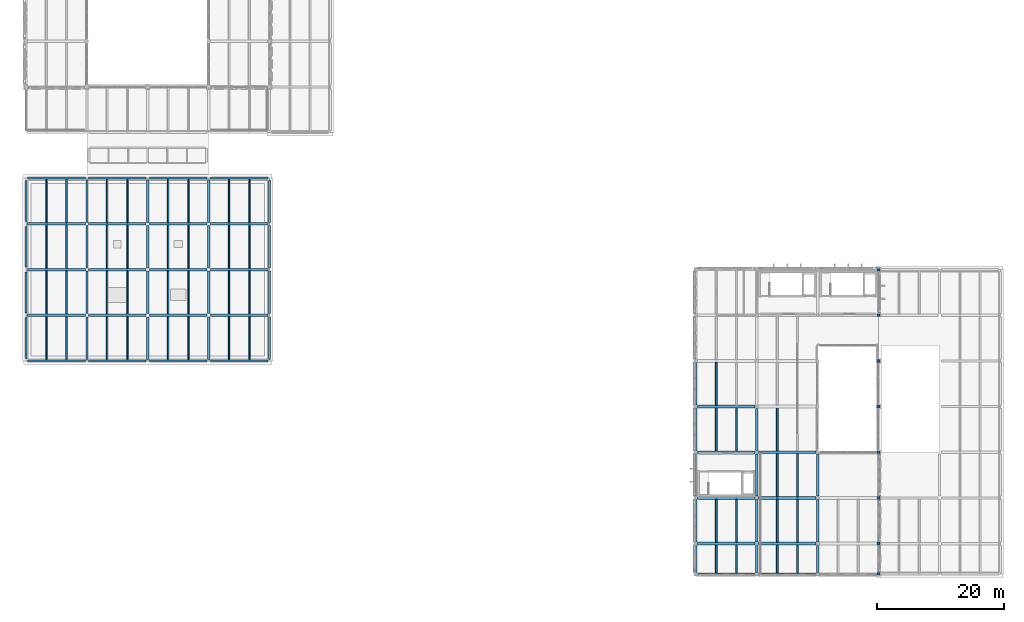
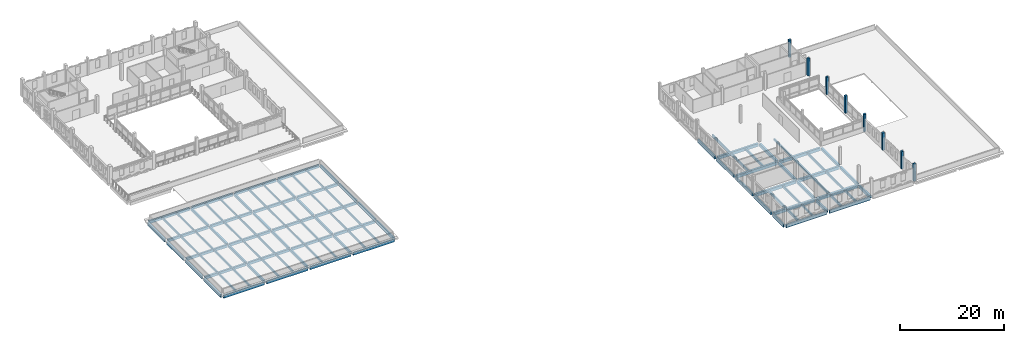
# One storey, part 3 of 50: 107 beams, 8 columns.
"""IFC4 building model written with IfcOpenShell, lengths in metres."""

from ifc_helpers import new_model, si_unit, direction, frame, origin, origin_2d, place, context, subcontext, project, spatial, rectangle, extrude, material, material_profile, profile_set, type_object, element, save


model = new_model("IFC4")

# Units and contexts
model_context = context("Model", 3, precision=1e-05, world=origin(), true_north=direction((0.0, 1.0)))
body_context = subcontext(model_context, "Body", "Model", "MODEL_VIEW")
ifc_project = project(units=[si_unit("LENGTHUNIT", "METRE"), si_unit("AREAUNIT", "SQUARE_METRE"), si_unit("VOLUMEUNIT", "CUBIC_METRE"), si_unit("PLANEANGLEUNIT", "RADIAN"), si_unit("MASSUNIT", "GRAM", prefix="KILO")], contexts=[model_context])

# Site, building, storey
site_placement = place(None, origin())
site = spatial("IfcSite", under=ifc_project, at=site_placement, CompositionType="ELEMENT")
building_placement = place(site_placement, origin())
building = spatial("IfcBuilding", under=site, at=building_placement, Name="Asteropetra Specialist Clinic", CompositionType="ELEMENT")
storey_placement = place(building_placement, frame((0.0, 0.0, 16.659912109375)))
storey = spatial("IfcBuildingStorey", under=building, at=storey_placement, Name="L04", CompositionType="ELEMENT", Elevation=16.659912109375)

# Columns
ifc_material_1 = material(Name="Concrete C35/45", Category="concrete")
ifc_material_profile_1 = material_profile(ifc_material_1, rectangle(XDim=0.449951171875, YDim=0.449951171875, at=origin_2d()), Name="RC 450x450")
ifc_profile_set_1 = profile_set([ifc_material_profile_1], Name="Concrete C35/45")
column_type = type_object("IfcColumnType", Name="COL-RC450", PredefinedType="COLUMN", material=ifc_profile_set_1)
for number, where, z_axis, x_axis, name in (
    (1, (134.39990234375, 0.0, 0.0), (0.0, 0.0, 1.0), (1.0, 0.0, 0.0), "Column CCOL08-0800"),
    (2, (134.39990234375, 4.800048828125, 0.0), (0.0, 0.0, 1.0), (1.0, 0.0, 0.0), "Column CCOL08-0805"),
    (3, (134.39990234375, 12.0, 0.0), (0.0, 0.0, 1.0), (1.0, 0.0, 0.0), "Column CCOL08-0810"),
    (4, (134.39990234375, 19.199951171875, 0.0), (0.0, 0.0, 1.0), (1.0, 0.0, 0.0), "Column CCOL08-0815"),
    (5, (134.39990234375, 26.39990234375, 0.0), (0.0, 0.0, 1.0), (1.0, 0.0, 0.0), "Column CCOL08-0820"),
    (6, (134.39990234375, 33.60009765625, 0.0), (0.0, 0.0, 1.0), (1.0, 0.0, 0.0), "Column CCOL08-0825"),
    (7, (134.39990234375, 40.800048828125, 0.0), (0.0, 0.0, 1.0), (1.0, 0.0, 0.0), "Column CCOL08-0830"),
    (8, (134.39990234375, 48.0, 0.0), (0.0, 0.0, 1.0), (1.0, 0.0, 0.0), "Column CCOL08-0835"),
):
    element("IfcColumn", number, at=place(storey_placement, frame(where, z_axis=z_axis, x_axis=x_axis)), inside=storey, type_object=column_type, Name=name, PredefinedType="COLUMN", context=body_context, shape_type="SweptSolid", body=[
        extrude(rectangle(XDim=0.449951171875, YDim=0.449951171875, at=origin_2d()), origin(), (0.0, 0.0, 1.0), 4.080078125),
    ])

# Beams
ifc_material_2 = material(Name="Concrete C35/45", Category="concrete")
ifc_material_profile_2 = material_profile(ifc_material_2, rectangle(XDim=0.35009765625, YDim=0.550048828125, at=origin_2d()), Name="RCB 350x550")
ifc_profile_set_2 = profile_set([ifc_material_profile_2], Name="Concrete C35/45")
beam_type_1 = type_object("IfcBeamType", Name="BM-RC350x550", PredefinedType="BEAM", material=ifc_profile_set_2)
for number, where, z_axis, x_axis, name in (
    (9, (9.60009765625, 33.85009765625, -0.544921875), (0.0, 1.0, 0.0), (-1.0, 0.0, 0.0), "Beam BBM10-1877"),
    (10, (19.199951171875, 33.85009765625, -0.544921875), (0.0, 1.0, 0.0), (-1.0, 0.0, 0.0), "Beam BBM10-1878"),
    (11, (28.800048828125, 33.85009765625, -0.544921875), (0.0, 1.0, 0.0), (-1.0, 0.0, 0.0), "Beam BBM10-1879"),
    (12, (9.60009765625, 41.050048828125, -0.544921875), (0.0, 1.0, 0.0), (-1.0, 0.0, 0.0), "Beam BBM10-1890"),
    (13, (19.199951171875, 41.050048828125, -0.544921875), (0.0, 1.0, 0.0), (-1.0, 0.0, 0.0), "Beam BBM10-1891"),
    (14, (28.800048828125, 41.050048828125, -0.544921875), (0.0, 1.0, 0.0), (-1.0, 0.0, 0.0), "Beam BBM10-1892"),
    (15, (9.60009765625, 48.25, -0.544921875), (0.0, 1.0, 0.0), (-1.0, 0.0, 0.0), "Beam BBM10-1903"),
    (16, (19.199951171875, 48.25, -0.544921875), (0.0, 1.0, 0.0), (-1.0, 0.0, 0.0), "Beam BBM10-1904"),
    (17, (28.800048828125, 48.25, -0.544921875), (0.0, 1.0, 0.0), (-1.0, 0.0, 0.0), "Beam BBM10-1905"),
    (18, (9.60009765625, 55.449951171875, -0.544921875), (0.0, 1.0, 0.0), (-1.0, 0.0, 0.0), "Beam BBM10-1916"),
    (19, (19.199951171875, 55.449951171875, -0.544921875), (0.0, 1.0, 0.0), (-1.0, 0.0, 0.0), "Beam BBM10-1917"),
    (20, (28.800048828125, 55.449951171875, -0.544921875), (0.0, 1.0, 0.0), (-1.0, 0.0, 0.0), "Beam BBM10-1918"),
):
    element("IfcBeam", number, at=place(storey_placement, frame(where, z_axis=z_axis, x_axis=x_axis)), inside=storey, type_object=beam_type_1, Name=name, PredefinedType="BEAM", context=body_context, shape_type="SweptSolid", body=[
        extrude(rectangle(XDim=0.35009765625, YDim=0.550048828125, at=origin_2d()), origin(), (0.0, 0.0, 1.0), 6.699951171875),
    ])
ifc_material_3 = material(Name="Concrete C35/45", Category="concrete")
ifc_material_profile_3 = material_profile(ifc_material_3, rectangle(XDim=0.39990234375, YDim=0.60009765625, at=origin_2d()), Name="RCB 400x600")
ifc_profile_set_3 = profile_set([ifc_material_profile_3], Name="Concrete C35/45")
beam_type_2 = type_object("IfcBeamType", Name="BM-RC400x600", PredefinedType="BEAM", material=ifc_profile_set_3)
beam_1_placement = place(storey_placement, frame((0.27490234375, 40.800048828125, -0.56982421875), z_axis=(1.0, 0.0, 0.0), x_axis=(0.0, 1.0, 0.0)))
element("IfcBeam", 21, at=beam_1_placement, inside=storey, type_object=beam_type_2, Name="Beam BBM08-1860", PredefinedType="BEAM", context=body_context, shape_type="SweptSolid", body=[
    extrude(rectangle(XDim=0.39990234375, YDim=0.60009765625, at=origin_2d()), origin(), (0.0, 0.0, 1.0), 9.0751953125),
])
beam_2_placement = place(storey_placement, frame((9.85009765625, 40.800048828125, -0.56982421875), z_axis=(1.0, 0.0, 0.0), x_axis=(0.0, 1.0, 0.0)))
element("IfcBeam", 22, at=beam_2_placement, inside=storey, type_object=beam_type_2, Name="Beam BBM08-1861", PredefinedType="BEAM", context=body_context, shape_type="SweptSolid", body=[
    extrude(rectangle(XDim=0.39990234375, YDim=0.60009765625, at=origin_2d()), origin(), (0.0, 0.0, 1.0), 9.099853515625),
])
beam_3_placement = place(storey_placement, frame((19.449951171875, 40.800048828125, -0.56982421875), z_axis=(1.0, 0.0, 0.0), x_axis=(0.0, 1.0, 0.0)))
element("IfcBeam", 23, at=beam_3_placement, inside=storey, type_object=beam_type_2, Name="Beam BBM08-1862", PredefinedType="BEAM", context=body_context, shape_type="SweptSolid", body=[
    extrude(rectangle(XDim=0.39990234375, YDim=0.60009765625, at=origin_2d()), origin(), (0.0, 0.0, 1.0), 9.10009765625),
])
beam_4_placement = place(storey_placement, frame((29.050048828125, 40.800048828125, -0.56982421875), z_axis=(1.0, 0.0, 0.0), x_axis=(0.0, 1.0, 0.0)))
element("IfcBeam", 24, at=beam_4_placement, inside=storey, type_object=beam_type_2, Name="Beam BBM08-1863", PredefinedType="BEAM", context=body_context, shape_type="SweptSolid", body=[
    extrude(rectangle(XDim=0.39990234375, YDim=0.60009765625, at=origin_2d()), origin(), (0.0, 0.0, 1.0), 9.099853515625),
])
beam_5_placement = place(storey_placement, frame((0.27490234375, 48.0, -0.56982421875), z_axis=(1.0, 0.0, 0.0), x_axis=(0.0, 1.0, 0.0)))
element("IfcBeam", 25, at=beam_5_placement, inside=storey, type_object=beam_type_2, Name="Beam BBM08-1864", PredefinedType="BEAM", context=body_context, shape_type="SweptSolid", body=[
    extrude(rectangle(XDim=0.39990234375, YDim=0.60009765625, at=origin_2d()), origin(), (0.0, 0.0, 1.0), 9.0751953125),
])
beam_6_placement = place(storey_placement, frame((9.85009765625, 48.0, -0.56982421875), z_axis=(1.0, 0.0, 0.0), x_axis=(0.0, 1.0, 0.0)))
element("IfcBeam", 26, at=beam_6_placement, inside=storey, type_object=beam_type_2, Name="Beam BBM08-1865", PredefinedType="BEAM", context=body_context, shape_type="SweptSolid", body=[
    extrude(rectangle(XDim=0.39990234375, YDim=0.60009765625, at=origin_2d()), origin(), (0.0, 0.0, 1.0), 9.099853515625),
])
beam_7_placement = place(storey_placement, frame((19.449951171875, 48.0, -0.56982421875), z_axis=(1.0, 0.0, 0.0), x_axis=(0.0, 1.0, 0.0)))
element("IfcBeam", 27, at=beam_7_placement, inside=storey, type_object=beam_type_2, Name="Beam BBM08-1866", PredefinedType="BEAM", context=body_context, shape_type="SweptSolid", body=[
    extrude(rectangle(XDim=0.39990234375, YDim=0.60009765625, at=origin_2d()), origin(), (0.0, 0.0, 1.0), 9.10009765625),
])
beam_8_placement = place(storey_placement, frame((29.050048828125, 48.0, -0.56982421875), z_axis=(1.0, 0.0, 0.0), x_axis=(0.0, 1.0, 0.0)))
element("IfcBeam", 28, at=beam_8_placement, inside=storey, type_object=beam_type_2, Name="Beam BBM08-1867", PredefinedType="BEAM", context=body_context, shape_type="SweptSolid", body=[
    extrude(rectangle(XDim=0.39990234375, YDim=0.60009765625, at=origin_2d()), origin(), (0.0, 0.0, 1.0), 9.099853515625),
])
beam_9_placement = place(storey_placement, frame((0.27490234375, 55.199951171875, -0.56982421875), z_axis=(1.0, 0.0, 0.0), x_axis=(0.0, 1.0, 0.0)))
element("IfcBeam", 29, at=beam_9_placement, inside=storey, type_object=beam_type_2, Name="Beam BBM08-1868", PredefinedType="BEAM", context=body_context, shape_type="SweptSolid", body=[
    extrude(rectangle(XDim=0.39990234375, YDim=0.60009765625, at=origin_2d()), origin(), (0.0, 0.0, 1.0), 9.0751953125),
])
beam_10_placement = place(storey_placement, frame((9.85009765625, 55.199951171875, -0.56982421875), z_axis=(1.0, 0.0, 0.0), x_axis=(0.0, 1.0, 0.0)))
element("IfcBeam", 30, at=beam_10_placement, inside=storey, type_object=beam_type_2, Name="Beam BBM08-1869", PredefinedType="BEAM", context=body_context, shape_type="SweptSolid", body=[
    extrude(rectangle(XDim=0.39990234375, YDim=0.60009765625, at=origin_2d()), origin(), (0.0, 0.0, 1.0), 9.099853515625),
])
beam_11_placement = place(storey_placement, frame((19.449951171875, 55.199951171875, -0.56982421875), z_axis=(1.0, 0.0, 0.0), x_axis=(0.0, 1.0, 0.0)))
element("IfcBeam", 31, at=beam_11_placement, inside=storey, type_object=beam_type_2, Name="Beam BBM08-1870", PredefinedType="BEAM", context=body_context, shape_type="SweptSolid", body=[
    extrude(rectangle(XDim=0.39990234375, YDim=0.60009765625, at=origin_2d()), origin(), (0.0, 0.0, 1.0), 9.10009765625),
])
beam_12_placement = place(storey_placement, frame((29.050048828125, 55.199951171875, -0.56982421875), z_axis=(1.0, 0.0, 0.0), x_axis=(0.0, 1.0, 0.0)))
element("IfcBeam", 32, at=beam_12_placement, inside=storey, type_object=beam_type_2, Name="Beam BBM08-1871", PredefinedType="BEAM", context=body_context, shape_type="SweptSolid", body=[
    extrude(rectangle(XDim=0.39990234375, YDim=0.60009765625, at=origin_2d()), origin(), (0.0, 0.0, 1.0), 9.099853515625),
])
ifc_material_4 = material(Name="Concrete C35/45", Category="concrete")
ifc_material_profile_4 = material_profile(ifc_material_4, rectangle(XDim=0.39990234375, YDim=0.64990234375, at=origin_2d()), Name="RCB 400x650")
ifc_profile_set_4 = profile_set([ifc_material_profile_4], Name="Concrete C35/45")
beam_type_3 = type_object("IfcBeamType", Name="BM-RC400x650", PredefinedType="BEAM", material=ifc_profile_set_4)
for number, where, z_axis, x_axis, name in (
    (33, (115.199951171875, 0.27490234375, -0.625), (0.0, 1.0, 0.0), (-1.0, 0.0, 0.0), "Beam BBM07-1726"),
    (34, (124.800048828125, 0.27490234375, -0.625), (0.0, 1.0, 0.0), (-1.0, 0.0, 0.0), "Beam BBM07-1727"),
):
    element("IfcBeam", number, at=place(storey_placement, frame(where, z_axis=z_axis, x_axis=x_axis)), inside=storey, type_object=beam_type_3, Name=name, PredefinedType="BEAM", context=body_context, shape_type="SweptSolid", body=[
        extrude(rectangle(XDim=0.39990234375, YDim=0.64990234375, at=origin_2d()), origin(), (0.0, 0.0, 1.0), 4.25),
    ])
for number, where, z_axis, x_axis, name in (
    (35, (115.199951171875, 5.074951171875, -0.625), (0.0, 1.0, 0.0), (-1.0, 0.0, 0.0), "Beam BBM07-1736"),
    (36, (124.800048828125, 5.074951171875, -0.625), (0.0, 1.0, 0.0), (-1.0, 0.0, 0.0), "Beam BBM07-1737"),
    (37, (115.199951171875, 12.27490234375, -0.625), (0.0, 1.0, 0.0), (-1.0, 0.0, 0.0), "Beam BBM07-1746"),
    (38, (124.800048828125, 12.27490234375, -0.625), (0.0, 1.0, 0.0), (-1.0, 0.0, 0.0), "Beam BBM07-1747"),
):
    element("IfcBeam", number, at=place(storey_placement, frame(where, z_axis=z_axis, x_axis=x_axis)), inside=storey, type_object=beam_type_3, Name=name, PredefinedType="BEAM", context=body_context, shape_type="SweptSolid", body=[
        extrude(rectangle(XDim=0.39990234375, YDim=0.64990234375, at=origin_2d()), origin(), (0.0, 0.0, 1.0), 6.650146484375),
    ])
beam_13_placement = place(storey_placement, frame((115.199951171875, 19.47509765625, -0.625), z_axis=(0.0, 1.0, 0.0), x_axis=(-1.0, 0.0, 0.0)))
element("IfcBeam", 39, at=beam_13_placement, inside=storey, type_object=beam_type_3, Name="Beam BBM07-1752", PredefinedType="BEAM", context=body_context, shape_type="SweptSolid", body=[
    extrude(rectangle(XDim=0.39990234375, YDim=0.64990234375, at=origin_2d()), origin(), (0.0, 0.0, 1.0), 6.64990234375),
])
ifc_material_5 = material(Name="Concrete C35/45", Category="concrete")
ifc_material_profile_5 = material_profile(ifc_material_5, rectangle(XDim=0.449951171875, YDim=0.699951171875, at=origin_2d()), Name="RCB 450x700")
ifc_profile_set_5 = profile_set([ifc_material_profile_5], Name="Concrete C35/45")
beam_type_4 = type_object("IfcBeamType", Name="BM-RC450x700", PredefinedType="BEAM", material=ifc_profile_set_5)
beam_14_placement = place(storey_placement, frame((105.875, 4.800048828125, -0.64990234375), z_axis=(1.0, 0.0, 0.0), x_axis=(0.0, 1.0, 0.0)))
element("IfcBeam", 40, at=beam_14_placement, inside=storey, type_object=beam_type_4, Name="Beam BBM05-1707", PredefinedType="BEAM", context=body_context, shape_type="SweptSolid", body=[
    extrude(rectangle(XDim=0.449951171875, YDim=0.699951171875, at=origin_2d()), origin(), (0.0, 0.0, 1.0), 9.050048828125),
])
beam_15_placement = place(storey_placement, frame((115.47509765625, 4.800048828125, -0.64990234375), z_axis=(1.0, 0.0, 0.0), x_axis=(0.0, 1.0, 0.0)))
element("IfcBeam", 41, at=beam_15_placement, inside=storey, type_object=beam_type_4, Name="Beam BBM05-1708", PredefinedType="BEAM", context=body_context, shape_type="SweptSolid", body=[
    extrude(rectangle(XDim=0.449951171875, YDim=0.699951171875, at=origin_2d()), origin(), (0.0, 0.0, 1.0), 9.0498046875),
])
beam_16_placement = place(storey_placement, frame((105.875, 12.0, -0.64990234375), z_axis=(1.0, 0.0, 0.0), x_axis=(0.0, 1.0, 0.0)))
element("IfcBeam", 42, at=beam_16_placement, inside=storey, type_object=beam_type_4, Name="Beam BBM05-1710", PredefinedType="BEAM", context=body_context, shape_type="SweptSolid", body=[
    extrude(rectangle(XDim=0.449951171875, YDim=0.699951171875, at=origin_2d()), origin(), (0.0, 0.0, 1.0), 9.050048828125),
])
beam_17_placement = place(storey_placement, frame((115.47509765625, 12.0, -0.64990234375), z_axis=(1.0, 0.0, 0.0), x_axis=(0.0, 1.0, 0.0)))
element("IfcBeam", 43, at=beam_17_placement, inside=storey, type_object=beam_type_4, Name="Beam BBM05-1711", PredefinedType="BEAM", context=body_context, shape_type="SweptSolid", body=[
    extrude(rectangle(XDim=0.449951171875, YDim=0.699951171875, at=origin_2d()), origin(), (0.0, 0.0, 1.0), 9.0498046875),
])
beam_18_placement = place(storey_placement, frame((105.875, 19.199951171875, -0.64990234375), z_axis=(1.0, 0.0, 0.0), x_axis=(0.0, 1.0, 0.0)))
element("IfcBeam", 44, at=beam_18_placement, inside=storey, type_object=beam_type_4, Name="Beam BBM05-1713", PredefinedType="BEAM", context=body_context, shape_type="SweptSolid", body=[
    extrude(rectangle(XDim=0.449951171875, YDim=0.699951171875, at=origin_2d()), origin(), (0.0, 0.0, 1.0), 9.050048828125),
])
beam_19_placement = place(storey_placement, frame((115.47509765625, 19.199951171875, -0.64990234375), z_axis=(1.0, 0.0, 0.0), x_axis=(0.0, 1.0, 0.0)))
element("IfcBeam", 45, at=beam_19_placement, inside=storey, type_object=beam_type_4, Name="Beam BBM05-1714", PredefinedType="BEAM", context=body_context, shape_type="SweptSolid", body=[
    extrude(rectangle(XDim=0.449951171875, YDim=0.699951171875, at=origin_2d()), origin(), (0.0, 0.0, 1.0), 9.0498046875),
])
beam_20_placement = place(storey_placement, frame((105.875, 26.39990234375, -0.64990234375), z_axis=(1.0, 0.0, 0.0), x_axis=(0.0, 1.0, 0.0)))
element("IfcBeam", 46, at=beam_20_placement, inside=storey, type_object=beam_type_4, Name="Beam BBM05-1715", PredefinedType="BEAM", context=body_context, shape_type="SweptSolid", body=[
    extrude(rectangle(XDim=0.449951171875, YDim=0.699951171875, at=origin_2d()), origin(), (0.0, 0.0, 1.0), 9.050048828125),
])
ifc_material_6 = material(Name="Concrete C35/45", Category="concrete")
ifc_material_profile_6 = material_profile(ifc_material_6, rectangle(XDim=0.239990234375, YDim=0.449951171875, at=origin_2d()), Name="RCJ 240x450")
ifc_profile_set_6 = profile_set([ifc_material_profile_6], Name="Concrete C35/45")
beam_type_5 = type_object("IfcBeamType", Name="JST-RC240x450", PredefinedType="JOIST", material=ifc_profile_set_6)
for number, where, z_axis, x_axis, name in (
    (47, (3.199951171875, 33.760009765625, -0.494873046875), (0.0, 1.0, 0.0), (-1.0, 0.0, 0.0), "Joist JJST03-1881"),
    (48, (6.39990234375, 33.760009765625, -0.494873046875), (0.0, 1.0, 0.0), (-1.0, 0.0, 0.0), "Joist JJST03-1882"),
    (49, (12.800048828125, 33.760009765625, -0.494873046875), (0.0, 1.0, 0.0), (-1.0, 0.0, 0.0), "Joist JJST03-1883"),
    (50, (16.0, 33.760009765625, -0.494873046875), (0.0, 1.0, 0.0), (-1.0, 0.0, 0.0), "Joist JJST03-1884"),
    (51, (22.39990234375, 33.760009765625, -0.494873046875), (0.0, 1.0, 0.0), (-1.0, 0.0, 0.0), "Joist JJST03-1885"),
    (52, (25.60009765625, 33.760009765625, -0.494873046875), (0.0, 1.0, 0.0), (-1.0, 0.0, 0.0), "Joist JJST03-1886"),
    (53, (32.0, 33.760009765625, -0.494873046875), (0.0, 1.0, 0.0), (-1.0, 0.0, 0.0), "Joist JJST03-1887"),
    (54, (35.199951171875, 33.760009765625, -0.494873046875), (0.0, 1.0, 0.0), (-1.0, 0.0, 0.0), "Joist JJST03-1888"),
):
    element("IfcBeam", number, at=place(storey_placement, frame(where, z_axis=z_axis, x_axis=x_axis)), inside=storey, type_object=beam_type_5, Name=name, PredefinedType="JOIST", context=body_context, shape_type="SweptSolid", body=[
        extrude(rectangle(XDim=0.239990234375, YDim=0.449951171875, at=origin_2d()), origin(), (0.0, 0.0, 1.0), 6.840087890625),
    ])
for number, where, z_axis, x_axis, name in (
    (55, (3.199951171875, 41.0, -0.494873046875), (0.0, 1.0, 0.0), (-1.0, 0.0, 0.0), "Joist JJST03-1894"),
    (56, (6.39990234375, 41.0, -0.494873046875), (0.0, 1.0, 0.0), (-1.0, 0.0, 0.0), "Joist JJST03-1895"),
    (57, (12.800048828125, 41.0, -0.494873046875), (0.0, 1.0, 0.0), (-1.0, 0.0, 0.0), "Joist JJST03-1896"),
    (58, (16.0, 41.0, -0.494873046875), (0.0, 1.0, 0.0), (-1.0, 0.0, 0.0), "Joist JJST03-1897"),
    (59, (22.39990234375, 41.0, -0.494873046875), (0.0, 1.0, 0.0), (-1.0, 0.0, 0.0), "Joist JJST03-1898"),
    (60, (25.60009765625, 41.0, -0.494873046875), (0.0, 1.0, 0.0), (-1.0, 0.0, 0.0), "Joist JJST03-1899"),
    (61, (32.0, 41.0, -0.494873046875), (0.0, 1.0, 0.0), (-1.0, 0.0, 0.0), "Joist JJST03-1900"),
    (62, (35.199951171875, 41.0, -0.494873046875), (0.0, 1.0, 0.0), (-1.0, 0.0, 0.0), "Joist JJST03-1901"),
    (63, (3.199951171875, 48.199951171875, -0.494873046875), (0.0, 1.0, 0.0), (-1.0, 0.0, 0.0), "Joist JJST03-1907"),
    (64, (6.39990234375, 48.199951171875, -0.494873046875), (0.0, 1.0, 0.0), (-1.0, 0.0, 0.0), "Joist JJST03-1908"),
    (65, (12.800048828125, 48.199951171875, -0.494873046875), (0.0, 1.0, 0.0), (-1.0, 0.0, 0.0), "Joist JJST03-1909"),
    (66, (16.0, 48.199951171875, -0.494873046875), (0.0, 1.0, 0.0), (-1.0, 0.0, 0.0), "Joist JJST03-1910"),
    (67, (22.39990234375, 48.199951171875, -0.494873046875), (0.0, 1.0, 0.0), (-1.0, 0.0, 0.0), "Joist JJST03-1911"),
    (68, (25.60009765625, 48.199951171875, -0.494873046875), (0.0, 1.0, 0.0), (-1.0, 0.0, 0.0), "Joist JJST03-1912"),
    (69, (32.0, 48.199951171875, -0.494873046875), (0.0, 1.0, 0.0), (-1.0, 0.0, 0.0), "Joist JJST03-1913"),
    (70, (35.199951171875, 48.199951171875, -0.494873046875), (0.0, 1.0, 0.0), (-1.0, 0.0, 0.0), "Joist JJST03-1914"),
):
    element("IfcBeam", number, at=place(storey_placement, frame(where, z_axis=z_axis, x_axis=x_axis)), inside=storey, type_object=beam_type_5, Name=name, PredefinedType="JOIST", context=body_context, shape_type="SweptSolid", body=[
        extrude(rectangle(XDim=0.239990234375, YDim=0.449951171875, at=origin_2d()), origin(), (0.0, 0.0, 1.0), 6.800048828125),
    ])
for number, where, z_axis, x_axis, name in (
    (71, (3.199951171875, 55.39990234375, -0.494873046875), (0.0, 1.0, 0.0), (-1.0, 0.0, 0.0), "Joist JJST03-1920"),
    (72, (6.39990234375, 55.39990234375, -0.494873046875), (0.0, 1.0, 0.0), (-1.0, 0.0, 0.0), "Joist JJST03-1921"),
    (73, (12.800048828125, 55.39990234375, -0.494873046875), (0.0, 1.0, 0.0), (-1.0, 0.0, 0.0), "Joist JJST03-1922"),
    (74, (16.0, 55.39990234375, -0.494873046875), (0.0, 1.0, 0.0), (-1.0, 0.0, 0.0), "Joist JJST03-1923"),
    (75, (22.39990234375, 55.39990234375, -0.494873046875), (0.0, 1.0, 0.0), (-1.0, 0.0, 0.0), "Joist JJST03-1924"),
    (76, (25.60009765625, 55.39990234375, -0.494873046875), (0.0, 1.0, 0.0), (-1.0, 0.0, 0.0), "Joist JJST03-1925"),
    (77, (32.0, 55.39990234375, -0.494873046875), (0.0, 1.0, 0.0), (-1.0, 0.0, 0.0), "Joist JJST03-1926"),
    (78, (35.199951171875, 55.39990234375, -0.494873046875), (0.0, 1.0, 0.0), (-1.0, 0.0, 0.0), "Joist JJST03-1927"),
):
    element("IfcBeam", number, at=place(storey_placement, frame(where, z_axis=z_axis, x_axis=x_axis)), inside=storey, type_object=beam_type_5, Name=name, PredefinedType="JOIST", context=body_context, shape_type="SweptSolid", body=[
        extrude(rectangle(XDim=0.239990234375, YDim=0.449951171875, at=origin_2d()), origin(), (0.0, 0.0, 1.0), 6.840087890625),
    ])
ifc_material_7 = material(Name="Concrete C35/45", Category="concrete")
ifc_material_profile_7 = material_profile(ifc_material_7, rectangle(XDim=0.280029296875, YDim=0.52001953125, at=origin_2d()), Name="RCJ 280x520")
ifc_profile_set_7 = profile_set([ifc_material_profile_7], Name="Concrete C35/45")
beam_type_6 = type_object("IfcBeamType", Name="JST-RC280x520", PredefinedType="JOIST", material=ifc_profile_set_7)
for number, where, z_axis, x_axis, name in (
    (79, (108.800048828125, 0.159912109375, -0.559814453125), (0.0, 1.0, 0.0), (-1.0, 0.0, 0.0), "Joist JJST01-1729"),
    (80, (112.0, 0.159912109375, -0.559814453125), (0.0, 1.0, 0.0), (-1.0, 0.0, 0.0), "Joist JJST01-1730"),
    (81, (118.39990234375, 0.159912109375, -0.559814453125), (0.0, 1.0, 0.0), (-1.0, 0.0, 0.0), "Joist JJST01-1731"),
    (82, (121.60009765625, 0.159912109375, -0.559814453125), (0.0, 1.0, 0.0), (-1.0, 0.0, 0.0), "Joist JJST01-1732"),
):
    element("IfcBeam", number, at=place(storey_placement, frame(where, z_axis=z_axis, x_axis=x_axis)), inside=storey, type_object=beam_type_6, Name=name, PredefinedType="JOIST", context=body_context, shape_type="SweptSolid", body=[
        extrude(rectangle(XDim=0.280029296875, YDim=0.52001953125, at=origin_2d()), origin(), (0.0, 0.0, 1.0), 4.4150390625),
    ])
for number, where, z_axis, x_axis, name in (
    (83, (108.800048828125, 5.02490234375, -0.559814453125), (0.0, 1.0, 0.0), (-1.0, 0.0, 0.0), "Joist JJST01-1739"),
    (84, (112.0, 5.02490234375, -0.559814453125), (0.0, 1.0, 0.0), (-1.0, 0.0, 0.0), "Joist JJST01-1740"),
    (85, (118.39990234375, 5.02490234375, -0.559814453125), (0.0, 1.0, 0.0), (-1.0, 0.0, 0.0), "Joist JJST01-1741"),
    (86, (121.60009765625, 5.02490234375, -0.559814453125), (0.0, 1.0, 0.0), (-1.0, 0.0, 0.0), "Joist JJST01-1742"),
    (87, (118.39990234375, 12.22509765625, -0.559814453125), (0.0, 1.0, 0.0), (-1.0, 0.0, 0.0), "Joist JJST01-1749"),
    (88, (121.60009765625, 12.22509765625, -0.559814453125), (0.0, 1.0, 0.0), (-1.0, 0.0, 0.0), "Joist JJST01-1750"),
    (89, (108.800048828125, 19.425048828125, -0.559814453125), (0.0, 1.0, 0.0), (-1.0, 0.0, 0.0), "Joist JJST01-1753"),
    (90, (112.0, 19.425048828125, -0.559814453125), (0.0, 1.0, 0.0), (-1.0, 0.0, 0.0), "Joist JJST01-1754"),
    (91, (118.39990234375, 19.425048828125, -0.559814453125), (0.0, 1.0, 0.0), (-1.0, 0.0, 0.0), "Joist JJST01-1755"),
    (92, (108.800048828125, 26.625, -0.559814453125), (0.0, 1.0, 0.0), (-1.0, 0.0, 0.0), "Joist JJST01-1759"),
):
    element("IfcBeam", number, at=place(storey_placement, frame(where, z_axis=z_axis, x_axis=x_axis)), inside=storey, type_object=beam_type_6, Name=name, PredefinedType="JOIST", context=body_context, shape_type="SweptSolid", body=[
        extrude(rectangle(XDim=0.280029296875, YDim=0.52001953125, at=origin_2d()), origin(), (0.0, 0.0, 1.0), 6.75),
    ])
ifc_material_8 = material(Name="Concrete C35/45", Category="concrete")
ifc_material_profile_8 = material_profile(ifc_material_8, rectangle(XDim=0.320068359375, YDim=0.699951171875, at=origin_2d()), Name="RCS 320x700")
ifc_profile_set_8 = profile_set([ifc_material_profile_8], Name="Concrete C35/45")
beam_type_7 = type_object("IfcBeamType", Name="SPN-RC320x700", PredefinedType="SPANDREL", material=ifc_profile_set_8)
beam_21_placement = place(storey_placement, frame((105.875, 0.0, -0.64990234375), z_axis=(1.0, 0.0, 0.0), x_axis=(0.0, 1.0, 0.0)))
element("IfcBeam", 93, at=beam_21_placement, inside=storey, type_object=beam_type_7, Name="Beam BSPN02-1704", PredefinedType="SPANDREL", context=body_context, shape_type="SweptSolid", body=[
    extrude(rectangle(XDim=0.320068359375, YDim=0.699951171875, at=origin_2d()), origin(), (0.0, 0.0, 1.0), 9.050048828125),
])
beam_22_placement = place(storey_placement, frame((115.47509765625, 0.0, -0.64990234375), z_axis=(1.0, 0.0, 0.0), x_axis=(0.0, 1.0, 0.0)))
element("IfcBeam", 94, at=beam_22_placement, inside=storey, type_object=beam_type_7, Name="Beam BSPN02-1705", PredefinedType="SPANDREL", context=body_context, shape_type="SweptSolid", body=[
    extrude(rectangle(XDim=0.320068359375, YDim=0.699951171875, at=origin_2d()), origin(), (0.0, 0.0, 1.0), 9.0498046875),
])
beam_23_placement = place(storey_placement, frame((105.60009765625, 0.27490234375, -0.64990234375), z_axis=(0.0, 1.0, 0.0), x_axis=(-1.0, 0.0, 0.0)))
element("IfcBeam", 95, at=beam_23_placement, inside=storey, type_object=beam_type_7, Name="Beam BSPN02-1725", PredefinedType="SPANDREL", context=body_context, shape_type="SweptSolid", body=[
    extrude(rectangle(XDim=0.320068359375, YDim=0.699951171875, at=origin_2d()), origin(), (0.0, 0.0, 1.0), 4.25),
])
for number, where, z_axis, x_axis, name in (
    (96, (105.60009765625, 5.074951171875, -0.64990234375), (0.0, 1.0, 0.0), (-1.0, 0.0, 0.0), "Beam BSPN02-1735"),
    (97, (105.60009765625, 12.27490234375, -0.64990234375), (0.0, 1.0, 0.0), (-1.0, 0.0, 0.0), "Beam BSPN02-1745"),
):
    element("IfcBeam", number, at=place(storey_placement, frame(where, z_axis=z_axis, x_axis=x_axis)), inside=storey, type_object=beam_type_7, Name=name, PredefinedType="SPANDREL", context=body_context, shape_type="SweptSolid", body=[
        extrude(rectangle(XDim=0.320068359375, YDim=0.699951171875, at=origin_2d()), origin(), (0.0, 0.0, 1.0), 6.650146484375),
    ])
for number, where, z_axis, x_axis, name in (
    (98, (105.60009765625, 19.47509765625, -0.64990234375), (0.0, 1.0, 0.0), (-1.0, 0.0, 0.0), "Beam BSPN02-1751"),
    (99, (105.60009765625, 26.675048828125, -0.64990234375), (0.0, 1.0, 0.0), (-1.0, 0.0, 0.0), "Beam BSPN02-1757"),
):
    element("IfcBeam", number, at=place(storey_placement, frame(where, z_axis=z_axis, x_axis=x_axis)), inside=storey, type_object=beam_type_7, Name=name, PredefinedType="SPANDREL", context=body_context, shape_type="SweptSolid", body=[
        extrude(rectangle(XDim=0.320068359375, YDim=0.699951171875, at=origin_2d()), origin(), (0.0, 0.0, 1.0), 6.64990234375),
    ])
beam_24_placement = place(storey_placement, frame((0.27490234375, 33.60009765625, -0.619873046875), z_axis=(1.0, 0.0, 0.0), x_axis=(0.0, 1.0, 0.0)))
element("IfcBeam", 100, at=beam_24_placement, inside=storey, type_object=beam_type_7, Name="Beam BSPN02-1856", PredefinedType="SPANDREL", context=body_context, shape_type="SweptSolid", body=[
    extrude(rectangle(XDim=0.320068359375, YDim=0.699951171875, at=origin_2d()), origin(), (0.0, 0.0, 1.0), 9.0751953125),
])
beam_25_placement = place(storey_placement, frame((9.85009765625, 33.60009765625, -0.619873046875), z_axis=(1.0, 0.0, 0.0), x_axis=(0.0, 1.0, 0.0)))
element("IfcBeam", 101, at=beam_25_placement, inside=storey, type_object=beam_type_7, Name="Beam BSPN02-1857", PredefinedType="SPANDREL", context=body_context, shape_type="SweptSolid", body=[
    extrude(rectangle(XDim=0.320068359375, YDim=0.699951171875, at=origin_2d()), origin(), (0.0, 0.0, 1.0), 9.099853515625),
])
beam_26_placement = place(storey_placement, frame((19.449951171875, 33.60009765625, -0.619873046875), z_axis=(1.0, 0.0, 0.0), x_axis=(0.0, 1.0, 0.0)))
element("IfcBeam", 102, at=beam_26_placement, inside=storey, type_object=beam_type_7, Name="Beam BSPN02-1858", PredefinedType="SPANDREL", context=body_context, shape_type="SweptSolid", body=[
    extrude(rectangle(XDim=0.320068359375, YDim=0.699951171875, at=origin_2d()), origin(), (0.0, 0.0, 1.0), 9.10009765625),
])
beam_27_placement = place(storey_placement, frame((29.050048828125, 33.60009765625, -0.619873046875), z_axis=(1.0, 0.0, 0.0), x_axis=(0.0, 1.0, 0.0)))
element("IfcBeam", 103, at=beam_27_placement, inside=storey, type_object=beam_type_7, Name="Beam BSPN02-1859", PredefinedType="SPANDREL", context=body_context, shape_type="SweptSolid", body=[
    extrude(rectangle(XDim=0.320068359375, YDim=0.699951171875, at=origin_2d()), origin(), (0.0, 0.0, 1.0), 9.099853515625),
])
beam_28_placement = place(storey_placement, frame((0.27490234375, 62.39990234375, -0.619873046875), z_axis=(1.0, 0.0, 0.0), x_axis=(0.0, 1.0, 0.0)))
element("IfcBeam", 104, at=beam_28_placement, inside=storey, type_object=beam_type_7, Name="Beam BSPN02-1872", PredefinedType="SPANDREL", context=body_context, shape_type="SweptSolid", body=[
    extrude(rectangle(XDim=0.320068359375, YDim=0.699951171875, at=origin_2d()), origin(), (0.0, 0.0, 1.0), 9.0751953125),
])
beam_29_placement = place(storey_placement, frame((9.85009765625, 62.39990234375, -0.619873046875), z_axis=(1.0, 0.0, 0.0), x_axis=(0.0, 1.0, 0.0)))
element("IfcBeam", 105, at=beam_29_placement, inside=storey, type_object=beam_type_7, Name="Beam BSPN02-1873", PredefinedType="SPANDREL", context=body_context, shape_type="SweptSolid", body=[
    extrude(rectangle(XDim=0.320068359375, YDim=0.699951171875, at=origin_2d()), origin(), (0.0, 0.0, 1.0), 9.099853515625),
])
beam_30_placement = place(storey_placement, frame((19.449951171875, 62.39990234375, -0.619873046875), z_axis=(1.0, 0.0, 0.0), x_axis=(0.0, 1.0, 0.0)))
element("IfcBeam", 106, at=beam_30_placement, inside=storey, type_object=beam_type_7, Name="Beam BSPN02-1874", PredefinedType="SPANDREL", context=body_context, shape_type="SweptSolid", body=[
    extrude(rectangle(XDim=0.320068359375, YDim=0.699951171875, at=origin_2d()), origin(), (0.0, 0.0, 1.0), 9.10009765625),
])
beam_31_placement = place(storey_placement, frame((29.050048828125, 62.39990234375, -0.619873046875), z_axis=(1.0, 0.0, 0.0), x_axis=(0.0, 1.0, 0.0)))
element("IfcBeam", 107, at=beam_31_placement, inside=storey, type_object=beam_type_7, Name="Beam BSPN02-1875", PredefinedType="SPANDREL", context=body_context, shape_type="SweptSolid", body=[
    extrude(rectangle(XDim=0.320068359375, YDim=0.699951171875, at=origin_2d()), origin(), (0.0, 0.0, 1.0), 9.099853515625),
])
beam_32_placement = place(storey_placement, frame((0.0, 33.97509765625, -0.619873046875), z_axis=(0.0, 1.0, 0.0), x_axis=(-1.0, 0.0, 0.0)))
element("IfcBeam", 108, at=beam_32_placement, inside=storey, type_object=beam_type_7, Name="Beam BSPN02-1876", PredefinedType="SPANDREL", context=body_context, shape_type="SweptSolid", body=[
    extrude(rectangle(XDim=0.320068359375, YDim=0.699951171875, at=origin_2d()), origin(), (0.0, 0.0, 1.0), 6.449951171875),
])
beam_33_placement = place(storey_placement, frame((38.39990234375, 33.85009765625, -0.619873046875), z_axis=(0.0, 1.0, 0.0), x_axis=(-1.0, 0.0, 0.0)))
element("IfcBeam", 109, at=beam_33_placement, inside=storey, type_object=beam_type_7, Name="Beam BSPN02-1880", PredefinedType="SPANDREL", context=body_context, shape_type="SweptSolid", body=[
    extrude(rectangle(XDim=0.320068359375, YDim=0.699951171875, at=origin_2d()), origin(), (0.0, 0.0, 1.0), 6.699951171875),
])
beam_34_placement = place(storey_placement, frame((0.0, 41.175048828125, -0.619873046875), z_axis=(0.0, 1.0, 0.0), x_axis=(-1.0, 0.0, 0.0)))
element("IfcBeam", 110, at=beam_34_placement, inside=storey, type_object=beam_type_7, Name="Beam BSPN02-1889", PredefinedType="SPANDREL", context=body_context, shape_type="SweptSolid", body=[
    extrude(rectangle(XDim=0.320068359375, YDim=0.699951171875, at=origin_2d()), origin(), (0.0, 0.0, 1.0), 6.449951171875),
])
beam_35_placement = place(storey_placement, frame((38.39990234375, 41.050048828125, -0.619873046875), z_axis=(0.0, 1.0, 0.0), x_axis=(-1.0, 0.0, 0.0)))
element("IfcBeam", 111, at=beam_35_placement, inside=storey, type_object=beam_type_7, Name="Beam BSPN02-1893", PredefinedType="SPANDREL", context=body_context, shape_type="SweptSolid", body=[
    extrude(rectangle(XDim=0.320068359375, YDim=0.699951171875, at=origin_2d()), origin(), (0.0, 0.0, 1.0), 6.699951171875),
])
beam_36_placement = place(storey_placement, frame((0.0, 48.375, -0.619873046875), z_axis=(0.0, 1.0, 0.0), x_axis=(-1.0, 0.0, 0.0)))
element("IfcBeam", 112, at=beam_36_placement, inside=storey, type_object=beam_type_7, Name="Beam BSPN02-1902", PredefinedType="SPANDREL", context=body_context, shape_type="SweptSolid", body=[
    extrude(rectangle(XDim=0.320068359375, YDim=0.699951171875, at=origin_2d()), origin(), (0.0, 0.0, 1.0), 6.449951171875),
])
beam_37_placement = place(storey_placement, frame((38.39990234375, 48.25, -0.619873046875), z_axis=(0.0, 1.0, 0.0), x_axis=(-1.0, 0.0, 0.0)))
element("IfcBeam", 113, at=beam_37_placement, inside=storey, type_object=beam_type_7, Name="Beam BSPN02-1906", PredefinedType="SPANDREL", context=body_context, shape_type="SweptSolid", body=[
    extrude(rectangle(XDim=0.320068359375, YDim=0.699951171875, at=origin_2d()), origin(), (0.0, 0.0, 1.0), 6.699951171875),
])
beam_38_placement = place(storey_placement, frame((0.0, 55.574951171875, -0.619873046875), z_axis=(0.0, 1.0, 0.0), x_axis=(-1.0, 0.0, 0.0)))
element("IfcBeam", 114, at=beam_38_placement, inside=storey, type_object=beam_type_7, Name="Beam BSPN02-1915", PredefinedType="SPANDREL", context=body_context, shape_type="SweptSolid", body=[
    extrude(rectangle(XDim=0.320068359375, YDim=0.699951171875, at=origin_2d()), origin(), (0.0, 0.0, 1.0), 6.449951171875),
])
beam_39_placement = place(storey_placement, frame((38.39990234375, 55.449951171875, -0.619873046875), z_axis=(0.0, 1.0, 0.0), x_axis=(-1.0, 0.0, 0.0)))
element("IfcBeam", 115, at=beam_39_placement, inside=storey, type_object=beam_type_7, Name="Beam BSPN02-1919", PredefinedType="SPANDREL", context=body_context, shape_type="SweptSolid", body=[
    extrude(rectangle(XDim=0.320068359375, YDim=0.699951171875, at=origin_2d()), origin(), (0.0, 0.0, 1.0), 6.699951171875),
])

save(model, "model.ifc")
